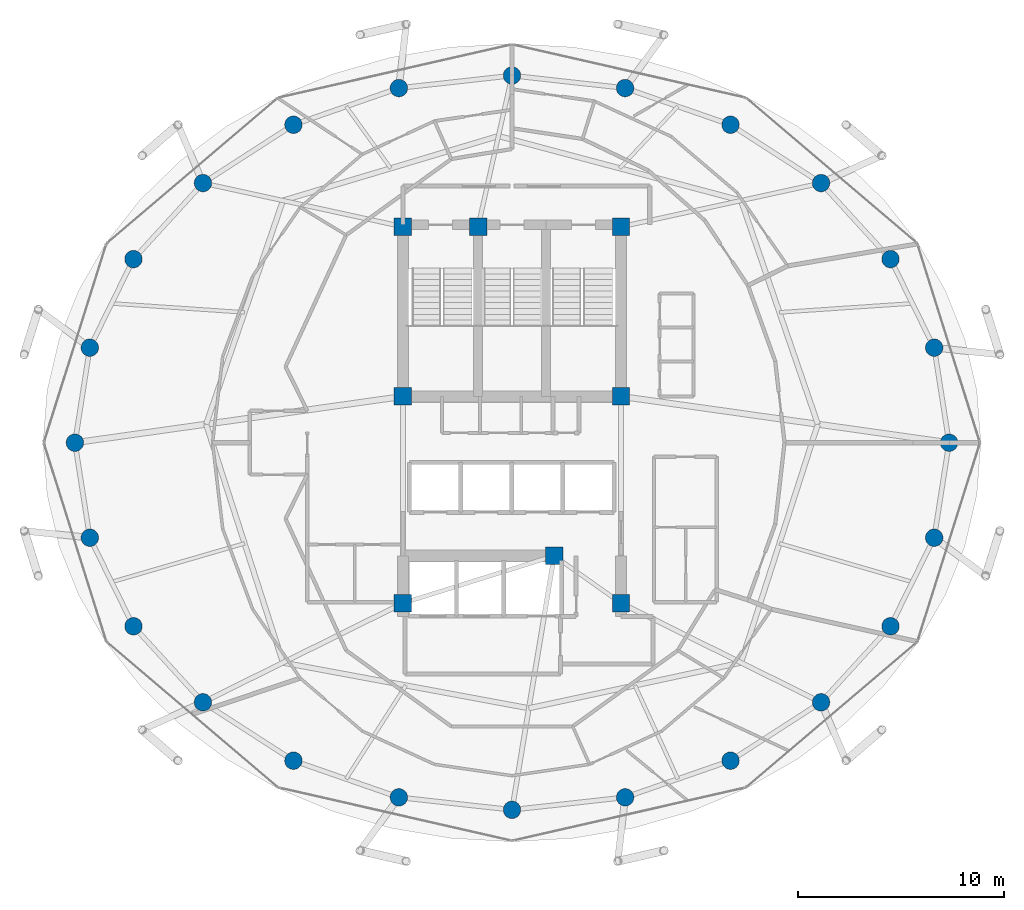
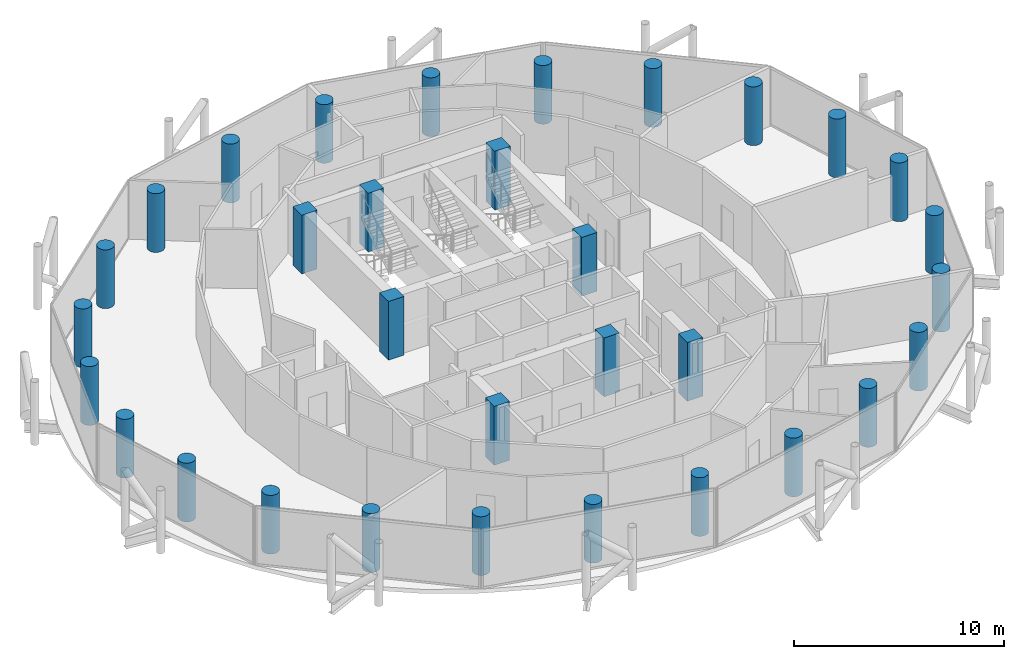
# One storey, part 1 of 27: 32 columns.
"""IFC4 building model written with IfcOpenShell, lengths in metres."""

from ifc_helpers import new_model, si_unit, direction, frame, origin, origin_2d, place, context, subcontext, project, spatial, rectangle, circle, extrude, material, material_profile, profile_set, type_object, element, save


model = new_model("IFC4")

# Units and contexts
model_context = context("Model", 3, precision=1e-05, world=origin(), true_north=direction((0.0, 1.0)))
body_context = subcontext(model_context, "Body", "Model", "MODEL_VIEW")
ifc_project = project(units=[si_unit("LENGTHUNIT", "METRE"), si_unit("AREAUNIT", "SQUARE_METRE"), si_unit("VOLUMEUNIT", "CUBIC_METRE"), si_unit("PLANEANGLEUNIT", "RADIAN"), si_unit("MASSUNIT", "GRAM", prefix="KILO")], contexts=[model_context])

# Site, building, storey
site_placement = place(None, origin())
site = spatial("IfcSite", under=ifc_project, at=site_placement, CompositionType="ELEMENT")
building_placement = place(site_placement, origin())
building = spatial("IfcBuilding", under=site, at=building_placement, Name="Nuhasar Tower", CompositionType="ELEMENT")
storey_placement = place(building_placement, frame((0.0, 0.0, 230.050048828125)))
storey = spatial("IfcBuildingStorey", under=building, at=storey_placement, Name="L56", CompositionType="ELEMENT", Elevation=230.050048828125)

# Columns
ifc_material = material(Name="Concrete C55/67", Category="concrete")
ifc_material_profile_1 = material_profile(ifc_material, circle(Radius=0.425048828125, at=origin_2d()), Name="CFT850")
ifc_profile_set_1 = profile_set([ifc_material_profile_1], Name="Concrete C55/67")
column_type_1 = type_object("IfcColumnType", Name="COL-CFT-850", PredefinedType="COLUMN", material=ifc_profile_set_1)
for number, where, z_axis, x_axis, name in (
    (1, (60.25, 26.800048828125, 0.0), (0.0, 0.0, 1.0), (1.0, 0.0, 0.0), "L56 Perimeter Composite Column TC-01"),
    (2, (59.52587890625, 31.419921875, 0.0), (0.0, 0.0, 1.0), (1.0, 0.0, 0.0), "L56 Perimeter Composite Column TC-02"),
    (3, (57.403076171875, 35.72509765625, 0.0), (0.0, 0.0, 1.0), (1.0, 0.0, 0.0), "L56 Perimeter Composite Column TC-03"),
    (4, (54.02587890625, 39.422119140625, 0.0), (0.0, 0.0, 1.0), (1.0, 0.0, 0.0), "L56 Perimeter Composite Column TC-04"),
    (5, (49.625, 42.259033203125, 0.0), (0.0, 0.0, 1.0), (1.0, 0.0, 0.0), "L56 Perimeter Composite Column TC-05"),
    (6, (44.5, 44.0419921875, 0.0), (0.0, 0.0, 1.0), (1.0, 0.0, 0.0), "L56 Perimeter Composite Column TC-06"),
    (7, (39.0, 44.64990234375, 0.0), (0.0, 0.0, 1.0), (1.0, 0.0, 0.0), "L56 Perimeter Composite Column TC-07"),
    (8, (33.5, 44.0419921875, 0.0), (0.0, 0.0, 1.0), (1.0, 0.0, 0.0), "L56 Perimeter Composite Column TC-08"),
    (9, (28.375, 42.259033203125, 0.0), (0.0, 0.0, 1.0), (1.0, 0.0, 0.0), "L56 Perimeter Composite Column TC-09"),
    (10, (23.97412109375, 39.422119140625, 0.0), (0.0, 0.0, 1.0), (1.0, 0.0, 0.0), "L56 Perimeter Composite Column TC-10"),
    (11, (20.596923828125, 35.72509765625, 0.0), (0.0, 0.0, 1.0), (1.0, 0.0, 0.0), "L56 Perimeter Composite Column TC-11"),
    (12, (18.47412109375, 31.419921875, 0.0), (0.0, 0.0, 1.0), (1.0, 0.0, 0.0), "L56 Perimeter Composite Column TC-12"),
    (13, (17.75, 26.800048828125, 0.0), (0.0, 0.0, 1.0), (1.0, 0.0, 0.0), "L56 Perimeter Composite Column TC-13"),
    (14, (18.47412109375, 22.179931640625, 0.0), (0.0, 0.0, 1.0), (1.0, 0.0, 0.0), "L56 Perimeter Composite Column TC-14"),
    (15, (20.596923828125, 17.875, 0.0), (0.0, 0.0, 1.0), (1.0, 0.0, 0.0), "L56 Perimeter Composite Column TC-15"),
    (16, (23.97412109375, 14.177978515625, 0.0), (0.0, 0.0, 1.0), (1.0, 0.0, 0.0), "L56 Perimeter Composite Column TC-16"),
    (17, (28.375, 11.341064453125, 0.0), (0.0, 0.0, 1.0), (1.0, 0.0, 0.0), "L56 Perimeter Composite Column TC-17"),
    (18, (33.5, 9.55810546875, 0.0), (0.0, 0.0, 1.0), (1.0, 0.0, 0.0), "L56 Perimeter Composite Column TC-18"),
    (19, (39.0, 8.949951171875, 0.0), (0.0, 0.0, 1.0), (1.0, 0.0, 0.0), "L56 Perimeter Composite Column TC-19"),
    (20, (44.5, 9.55810546875, 0.0), (0.0, 0.0, 1.0), (1.0, 0.0, 0.0), "L56 Perimeter Composite Column TC-20"),
    (21, (49.625, 11.341064453125, 0.0), (0.0, 0.0, 1.0), (1.0, 0.0, 0.0), "L56 Perimeter Composite Column TC-21"),
    (22, (54.02587890625, 14.177978515625, 0.0), (0.0, 0.0, 1.0), (1.0, 0.0, 0.0), "L56 Perimeter Composite Column TC-22"),
    (23, (57.403076171875, 17.875, 0.0), (0.0, 0.0, 1.0), (1.0, 0.0, 0.0), "L56 Perimeter Composite Column TC-23"),
    (24, (59.52587890625, 22.179931640625, 0.0), (0.0, 0.0, 1.0), (1.0, 0.0, 0.0), "L56 Perimeter Composite Column TC-24"),
):
    element("IfcColumn", number, at=place(storey_placement, frame(where, z_axis=z_axis, x_axis=x_axis)), inside=storey, type_object=column_type_1, Name=name, PredefinedType="COLUMN", context=body_context, shape_type="SweptSolid", body=[
        extrude(circle(Radius=0.425048828125, at=origin_2d()), origin(), (0.0, 0.0, 1.0), 3.409912109375),
    ])
ifc_material_profile_2 = material_profile(ifc_material, rectangle(XDim=0.85009765625, YDim=0.85009765625, at=origin_2d()), Name="RC850X850")
ifc_profile_set_2 = profile_set([ifc_material_profile_2], Name="Concrete C55/67")
column_type_2 = type_object("IfcColumnType", Name="PIL-RC-850", PredefinedType="PILASTER", material=ifc_profile_set_2)
for number, where, z_axis, x_axis, name in (
    (25, (33.699951171875, 19.0, 0.0), (0.0, 0.0, 1.0), (1.0, 0.0, 0.0), "L56 Core Boundary Pilaster CC-01"),
    (26, (41.050048828125, 21.300048828125, 0.0), (0.0, 0.0, 1.0), (1.0, 0.0, 0.0), "L56 Core Boundary Pilaster CC-02"),
    (27, (44.300048828125, 19.0, 0.0), (0.0, 0.0, 1.0), (1.0, 0.0, 0.0), "L56 Core Boundary Pilaster CC-03"),
    (28, (44.300048828125, 29.050048828125, 0.0), (0.0, 0.0, 1.0), (1.0, 0.0, 0.0), "L56 Core Boundary Pilaster CC-04"),
    (29, (44.300048828125, 37.300048828125, 0.0), (0.0, 0.0, 1.0), (1.0, 0.0, 0.0), "L56 Core Boundary Pilaster CC-05"),
    (30, (37.35009765625, 37.300048828125, 0.0), (0.0, 0.0, 1.0), (1.0, 0.0, 0.0), "L56 Core Boundary Pilaster CC-06"),
    (31, (33.699951171875, 37.300048828125, 0.0), (0.0, 0.0, 1.0), (1.0, 0.0, 0.0), "L56 Core Boundary Pilaster CC-07"),
    (32, (33.699951171875, 29.050048828125, 0.0), (0.0, 0.0, 1.0), (1.0, 0.0, 0.0), "L56 Core Boundary Pilaster CC-08"),
):
    element("IfcColumn", number, at=place(storey_placement, frame(where, z_axis=z_axis, x_axis=x_axis)), inside=storey, type_object=column_type_2, Name=name, PredefinedType="PILASTER", context=body_context, shape_type="SweptSolid", body=[
        extrude(rectangle(XDim=0.85009765625, YDim=0.85009765625, at=origin_2d()), origin(), (0.0, 0.0, 1.0), 3.409912109375),
    ])

save(model, "model.ifc")
